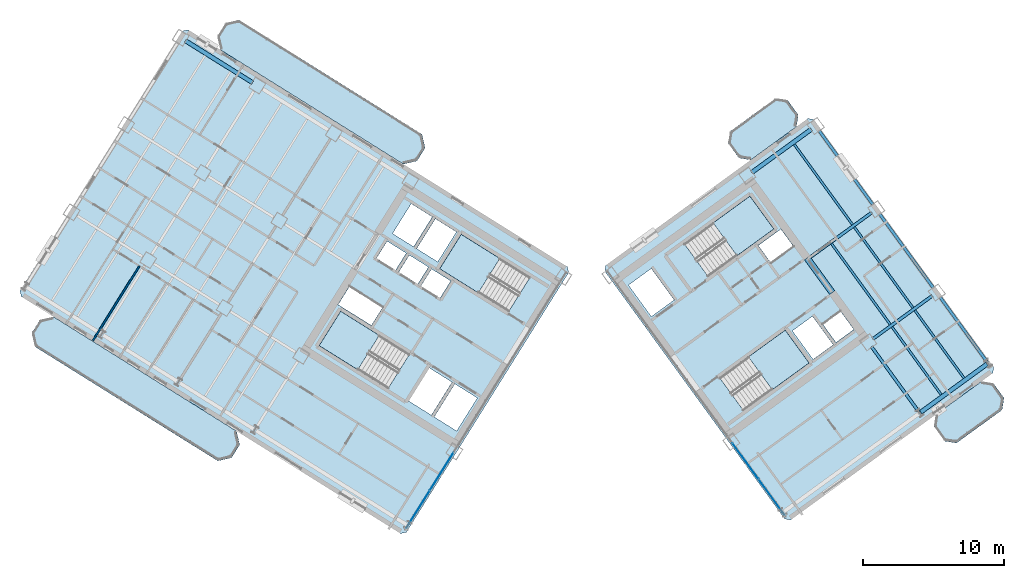
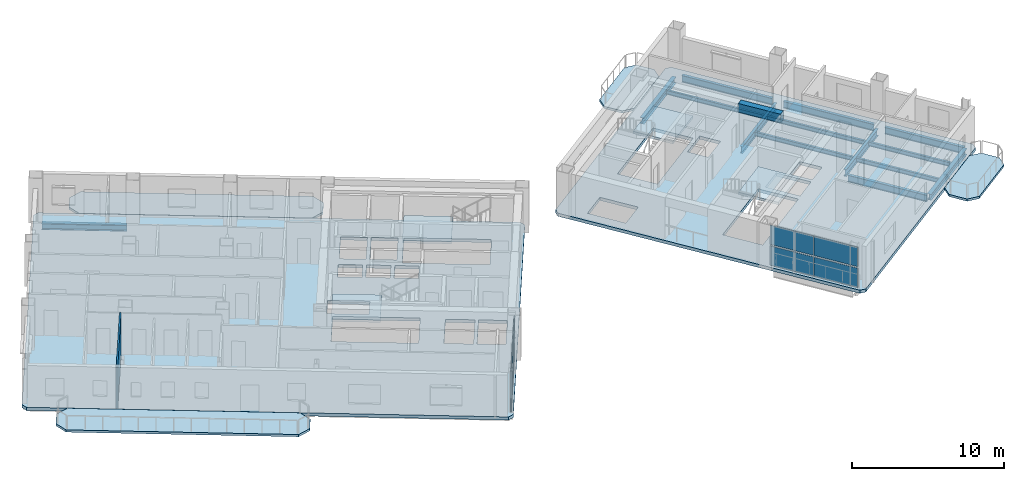
# One storey, part 9 of 19: 15 beams, 10 slabs, 8 plates, 1 wall, 6 elements without a shape of their own.
"""IFC4 building model written with IfcOpenShell, lengths in metres."""

from ifc_helpers import new_model, si_unit, direction, frame, frame_2d, origin, origin_2d, place, context, subcontext, project, spatial, polyline, rectangle, i_section, outline, extrude, source, transform, mapped, material, layer, layer_set, material_profile, profile_set, type_object, element, aggregate, save


model = new_model("IFC4")

# Units and contexts
model_context = context("Model", 3, precision=1e-05, world=origin(), true_north=direction((0.0, 1.0)))
body_context = subcontext(model_context, "Body", "Model", "MODEL_VIEW")
ifc_project = project(units=[si_unit("LENGTHUNIT", "METRE"), si_unit("AREAUNIT", "SQUARE_METRE"), si_unit("VOLUMEUNIT", "CUBIC_METRE"), si_unit("PLANEANGLEUNIT", "RADIAN"), si_unit("MASSUNIT", "GRAM", prefix="KILO")], contexts=[model_context])

# Site, building, storey
site_placement = place(None, origin())
site = spatial("IfcSite", under=ifc_project, at=site_placement, CompositionType="ELEMENT")
building_placement = place(site_placement, origin())
building = spatial("IfcBuilding", under=site, at=building_placement, Name="Tlacorven Tower", CompositionType="ELEMENT")
storey_placement = place(building_placement, frame((0.0, 0.0, 147.89990234375)))
storey = spatial("IfcBuildingStorey", under=building, at=storey_placement, Name="L37", CompositionType="ELEMENT", Elevation=147.89990234375)

# Beams
ifc_material_1 = material(Name="Concrete C60/75", Category="concrete")
ifc_material_profile_1 = material_profile(ifc_material_1, rectangle(XDim=0.449951171875, YDim=0.699951171875, at=origin_2d()), Name="RC 450X700")
ifc_profile_set_1 = profile_set([ifc_material_profile_1], Name="Concrete C60/75")
beam_type_1 = type_object("IfcBeamType", Name="BM-LNT-700", PredefinedType="LINTEL", material=ifc_profile_set_1)
shared_shape_1 = source(origin(), body_context, "Body", "SweptSolid", [
    extrude(rectangle(XDim=0.449951171875, YDim=0.699951171875, at=origin_2d()), origin(), (0.0, 0.0, 1.0), 3.050048828125),
])
beam_1_placement = place(storey_placement, frame((59.856689453125, 23.345947265625, 3.0), z_axis=(-0.587776590479, 0.80902328748, 0.0), x_axis=(-0.80902328748, -0.587776590479, 0.0)))
element("IfcBeam", 1, at=beam_1_placement, inside=storey, type_object=beam_type_1, Name="L37 E core coupling lintel beam E2", PredefinedType="LINTEL", context=body_context, shape_type="MappedRepresentation", body=[
    mapped(shared_shape_1, transform((0.0, 0.0, 0.0), scale=1.0)),
])
ifc_material_2 = material(Name="Steel S355J2", Category="steel")
ifc_material_profile_2 = material_profile(ifc_material_2, i_section(OverallWidth=0.300048828125, OverallDepth=0.489990234375, WebThickness=0.011962890625, FlangeThickness=0.02294921875, at=origin_2d()), Name="HEA 500")
ifc_profile_set_2 = profile_set([ifc_material_profile_2], Name="Steel S355J2")
beam_type_2 = type_object("IfcBeamType", Name="BM-SPN-500", PredefinedType="SPANDREL", material=ifc_profile_set_2)
shared_shape_2 = source(origin(), body_context, "Body", "SweptSolid", [
    extrude(i_section(OverallWidth=0.300048828125, OverallDepth=0.489990234375, WebThickness=0.011962890625, FlangeThickness=0.02294921875, at=origin_2d()), origin(), (0.0, 0.0, 1.0), 5.800048828125),
])
beam_2_placement = place(storey_placement, frame((66.138671875, 14.86962890625, -0.494873046875), z_axis=(0.809019944521, 0.587781191743, 0.0), x_axis=(-0.587781191743, 0.809019944521, 0.0)))
element("IfcBeam", 2, at=beam_2_placement, inside=storey, type_object=beam_type_2, Name="L37 beam BM-L37-EL1-3", PredefinedType="SPANDREL", context=body_context, shape_type="MappedRepresentation", body=[
    mapped(shared_shape_2, transform((0.0, 0.0, 0.0), scale=1.0)),
])
shared_shape_3 = source(origin(), body_context, "Body", "SweptSolid", [
    extrude(i_section(OverallWidth=0.300048828125, OverallDepth=0.489990234375, WebThickness=0.011962890625, FlangeThickness=0.02294921875, at=origin_2d()), origin(), (0.0, 0.0, 1.0), 5.599853515625),
])
beam_3_placement = place(storey_placement, frame((18.733642578125, 38.246337890625, -0.494873046875), z_axis=(-0.848047285686, 0.529920561254, 0.0), x_axis=(-0.529920561254, -0.848047285686, 0.0)))
element("IfcBeam", 3, at=beam_3_placement, inside=storey, type_object=beam_type_2, Name="L37 beam BM-L37-WL1-5", PredefinedType="SPANDREL", context=body_context, shape_type="MappedRepresentation", body=[
    mapped(shared_shape_3, transform((0.0, 0.0, 0.0), scale=1.0)),
])
ifc_material_profile_3 = material_profile(ifc_material_2, i_section(OverallWidth=0.2099609375, OverallDepth=0.550048828125, WebThickness=0.010986328125, FlangeThickness=0.01708984375, at=origin_2d()), Name="IPE 550")
ifc_profile_set_3 = profile_set([ifc_material_profile_3], Name="Steel S355J2")
beam_type_3 = type_object("IfcBeamType", Name="BM-TWR-550", PredefinedType="BEAM", material=ifc_profile_set_3)
shared_shape_4 = source(origin(), body_context, "Body", "SweptSolid", [
    extrude(i_section(OverallWidth=0.2099609375, OverallDepth=0.550048828125, WebThickness=0.010986328125, FlangeThickness=0.01708984375, at=origin_2d()), origin(), (0.0, 0.0, 1.0), 5.7001953125),
])
beam_4_placement = place(storey_placement, frame((70.853271484375, 18.41845703125, -0.52490234375), z_axis=(-0.587766699507, 0.809030473438, 0.0), x_axis=(-0.809030473438, -0.587766699507, 0.0)))
element("IfcBeam", 4, at=beam_4_placement, inside=storey, type_object=beam_type_3, Name="L37 beam BM-L37-ET4-1", PredefinedType="BEAM", context=body_context, shape_type="MappedRepresentation", body=[
    mapped(shared_shape_4, transform((0.0, 0.0, 0.0), scale=1.0)),
])
shared_shape_5 = source(origin(), body_context, "Body", "SweptSolid", [
    extrude(i_section(OverallWidth=0.2099609375, OverallDepth=0.550048828125, WebThickness=0.010986328125, FlangeThickness=0.01708984375, at=origin_2d()), origin(), (0.0, 0.0, 1.0), 5.699951171875),
])
beam_5_placement = place(storey_placement, frame((65.9990234375, 14.891845703125, -0.52490234375), z_axis=(-0.587787066966, 0.809015675935, 0.0), x_axis=(-0.809015675935, -0.587787066966, 0.0)))
element("IfcBeam", 5, at=beam_5_placement, inside=storey, type_object=beam_type_3, Name="L37 beam BM-L37-ET3-1", PredefinedType="BEAM", context=body_context, shape_type="MappedRepresentation", body=[
    mapped(shared_shape_5, transform((0.0, 0.0, 0.0), scale=1.0)),
])
shared_shape_6 = source(origin(), body_context, "Body", "SweptSolid", [
    extrude(i_section(OverallWidth=0.2099609375, OverallDepth=0.550048828125, WebThickness=0.010986328125, FlangeThickness=0.01708984375, at=origin_2d()), origin(), (0.0, 0.0, 1.0), 6.5),
])
for number, where, z_axis, x_axis, name in (
    (6, (67.03271484375, 23.67724609375, -0.52490234375), (-0.587809847215, 0.808999124547, 0.0), (-0.808999124547, -0.587809847215, 0.0), "L37 beam BM-L37-ET4-2"),
    (7, (62.74169921875, 29.5830078125, -0.52490234375), (-0.587785264321, 0.809016985636, 0.0), (-0.809016985636, -0.587785264321, 0.0), "L37 beam BM-L37-ET4-3"),
):
    element("IfcBeam", number, at=place(storey_placement, frame(where, z_axis=z_axis, x_axis=x_axis)), inside=storey, type_object=beam_type_3, Name=name, PredefinedType="BEAM", context=body_context, shape_type="MappedRepresentation", body=[
        mapped(shared_shape_6, transform((0.0, 0.0, 0.0), scale=1.0)),
    ])
shared_shape_7 = source(origin(), body_context, "Body", "SweptSolid", [
    extrude(i_section(OverallWidth=0.2099609375, OverallDepth=0.550048828125, WebThickness=0.010986328125, FlangeThickness=0.01708984375, at=origin_2d()), origin(), (0.0, 0.0, 1.0), 5.56005859375),
])
beam_6_placement = place(storey_placement, frame((58.155029296875, 25.756103515625, -0.52490234375), z_axis=(0.809028396397, 0.587769558435, 0.0), x_axis=(-0.587769558435, 0.809028396397, 0.0)))
element("IfcBeam", 8, at=beam_6_placement, inside=storey, type_object=beam_type_3, Name="L37 beam BM-L37-EL3-3", PredefinedType="BEAM", context=body_context, shape_type="MappedRepresentation", body=[
    mapped(shared_shape_7, transform((0.0, 0.0, 0.0), scale=1.0)),
])
ifc_material_profile_4 = material_profile(ifc_material_2, i_section(OverallWidth=0.159912109375, OverallDepth=0.330078125, WebThickness=0.007568359375, FlangeThickness=0.011474609375, at=origin_2d()), Name="IPE 330")
ifc_profile_set_4 = profile_set([ifc_material_profile_4], Name="Steel S355J2")
beam_type_4 = type_object("IfcBeamType", Name="BM-JST-330", PredefinedType="JOIST", material=ifc_profile_set_4)
shared_shape_8 = source(origin(), body_context, "Body", "SweptSolid", [
    extrude(i_section(OverallWidth=0.159912109375, OverallDepth=0.330078125, WebThickness=0.007568359375, FlangeThickness=0.011474609375, at=origin_2d()), origin(), (0.0, 0.0, 1.0), 5.93505859375),
])
for number, where, z_axis, x_axis, name in (
    (9, (67.584716796875, 16.11181640625, -0.414794921875), (-0.58778762431, 0.809015270998, 0.0), (-0.809015270998, -0.58778762431, 0.0), "L37 beam BM-L37-EJ3-1-1"),
    (10, (69.202880859375, 17.287353515625, -0.414794921875), (-0.58778762431, 0.809015270998, 0.0), (-0.809015270998, -0.58778762431, 0.0), "L37 beam BM-L37-EJ3-1-2"),
):
    element("IfcBeam", number, at=place(storey_placement, frame(where, z_axis=z_axis, x_axis=x_axis)), inside=storey, type_object=beam_type_4, Name=name, PredefinedType="JOIST", context=body_context, shape_type="MappedRepresentation", body=[
        mapped(shared_shape_8, transform((0.0, 0.0, 0.0), scale=1.0)),
    ])
shared_shape_9 = source(origin(), body_context, "Body", "SweptSolid", [
    extrude(i_section(OverallWidth=0.159912109375, OverallDepth=0.330078125, WebThickness=0.007568359375, FlangeThickness=0.011474609375, at=origin_2d()), origin(), (0.0, 0.0, 1.0), 7.080078125),
])
beam_7_placement = place(storey_placement, frame((65.5849609375, 22.266845703125, -0.414794921875), z_axis=(-0.587759505125, 0.809035700161, 0.0), x_axis=(-0.809035700161, -0.587759505125, 0.0)))
element("IfcBeam", 11, at=beam_7_placement, inside=storey, type_object=beam_type_4, Name="L37 beam BM-L37-EJ3-2-2", PredefinedType="JOIST", context=body_context, shape_type="MappedRepresentation", body=[
    mapped(shared_shape_9, transform((0.0, 0.0, 0.0), scale=1.0)),
])
shared_shape_10 = source(origin(), body_context, "Body", "SweptSolid", [
    extrude(i_section(OverallWidth=0.159912109375, OverallDepth=0.330078125, WebThickness=0.007568359375, FlangeThickness=0.011474609375, at=origin_2d()), origin(), (0.0, 0.0, 1.0), 7.034912109375),
])
beam_8_placement = place(storey_placement, frame((61.294189453125, 28.1728515625, -0.414794921875), z_axis=(-0.587781631373, 0.809019625115, 0.0), x_axis=(-0.809019625115, -0.587781631373, 0.0)))
element("IfcBeam", 12, at=beam_8_placement, inside=storey, type_object=beam_type_4, Name="L37 beam BM-L37-EJ3-3-2", PredefinedType="JOIST", context=body_context, shape_type="MappedRepresentation", body=[
    mapped(shared_shape_10, transform((0.0, 0.0, 0.0), scale=1.0)),
])
shared_shape_11 = source(origin(), body_context, "Body", "SweptSolid", [
    extrude(i_section(OverallWidth=0.159912109375, OverallDepth=0.330078125, WebThickness=0.007568359375, FlangeThickness=0.011474609375, at=origin_2d()), origin(), (0.0, 0.0, 1.0), 7.080322265625),
])
beam_9_placement = place(storey_placement, frame((63.967041015625, 21.09130859375, -0.414794921875), z_axis=(-0.587782074775, 0.809019302967, 0.0), x_axis=(-0.809019302967, -0.587782074775, 0.0)))
element("IfcBeam", 13, at=beam_9_placement, inside=storey, type_object=beam_type_4, Name="L37 beam BM-L37-EJ3-2-1", PredefinedType="JOIST", context=body_context, shape_type="MappedRepresentation", body=[
    mapped(shared_shape_11, transform((0.0, 0.0, 0.0), scale=1.0)),
])
shared_shape_12 = source(origin(), body_context, "Body", "SweptSolid", [
    extrude(i_section(OverallWidth=0.2099609375, OverallDepth=0.550048828125, WebThickness=0.010986328125, FlangeThickness=0.01708984375, at=origin_2d()), origin(), (0.0, 0.0, 1.0), 5.199951171875),
])
beam_10_placement = place(storey_placement, frame((62.7373046875, 20.06201171875, -0.52490234375), z_axis=(0.809018206713, 0.587783583648, 0.0), x_axis=(-0.587783583648, 0.809018206713, 0.0)))
element("IfcBeam", 14, at=beam_10_placement, inside=storey, type_object=beam_type_3, Name="L37 beam BM-L37-EL2-3", PredefinedType="BEAM", context=body_context, shape_type="MappedRepresentation", body=[
    mapped(shared_shape_12, transform((0.0, 0.0, 0.0), scale=1.0)),
])
shared_shape_13 = source(origin(), body_context, "Body", "SweptSolid", [
    extrude(i_section(OverallWidth=0.300048828125, OverallDepth=0.489990234375, WebThickness=0.011962890625, FlangeThickness=0.02294921875, at=origin_2d()), origin(), (0.0, 0.0, 1.0), 5.2001953125),
])
beam_11_placement = place(storey_placement, frame((54.155517578125, 31.87353515625, -0.494873046875), z_axis=(0.80901210161, 0.587791986546, 0.0), x_axis=(-0.587791986546, 0.80901210161, 0.0)))
element("IfcBeam", 15, at=beam_11_placement, inside=storey, type_object=beam_type_2, Name="L37 beam BM-L37-EL4-3", PredefinedType="SPANDREL", context=body_context, shape_type="MappedRepresentation", body=[
    mapped(shared_shape_13, transform((0.0, 0.0, 0.0), scale=1.0)),
])

# Slabs
ifc_material_3 = material(Name="Precast concrete C45/55", Category="concrete")
ifc_layer_1 = layer(ifc_material_3, 0.179931640625)
ifc_layer_set_1 = layer_set([ifc_layer_1], Name="Precast concrete C45/55")
slab_type_1 = type_object("IfcSlabType", Name="SL-BAL-180", PredefinedType="USERDEFINED", material=ifc_layer_set_1)
slab_1_placement = place(storey_placement, frame((0.0, 0.0, -0.179931640625)))
element("IfcSlab", 16, at=slab_1_placement, inside=storey, type_object=slab_type_1, Name="L37 West Wing Balcony Ribbon OUT", ObjectType="BALCONY SLAB", PredefinedType="USERDEFINED", context=body_context, shape_type="SweptSolid", body=[
    extrude(outline(polyline([(17.601318359375, 13.52490234375), (4.626220703125, 21.632568359375), (3.66162109375, 21.409912109375), (3.081298828125, 20.4814453125), (3.303955078125, 19.516845703125), (16.279052734375, 11.408935546875), (17.24365234375, 11.6318359375), (17.823974609375, 12.560302734375), (17.601318359375, 13.52490234375)])), origin(), (0.0, 0.0, 1.0), 0.179931640625),
])
slab_2_placement = place(storey_placement, frame((0.0, 0.0, -0.179931640625)))
element("IfcSlab", 17, at=slab_2_placement, inside=storey, type_object=slab_type_1, Name="L37 West Wing Balcony Ribbon IN", ObjectType="BALCONY SLAB", PredefinedType="USERDEFINED", context=body_context, shape_type="SweptSolid", body=[
    extrude(outline(polyline([(30.756591796875, 34.57763671875), (17.781494140625, 42.685546875), (16.81689453125, 42.462890625), (16.236572265625, 41.5341796875), (16.459228515625, 40.569580078125), (29.434326171875, 32.4619140625), (30.39892578125, 32.6845703125), (30.979248046875, 33.613037109375), (30.756591796875, 34.57763671875)])), origin(), (0.0, 0.0, 1.0), 0.179931640625),
])
slab_3_placement = place(storey_placement, frame((0.0, 0.0, -0.179931640625)))
element("IfcSlab", 18, at=slab_3_placement, inside=storey, type_object=slab_type_1, Name="L37 East Wing Balcony Ribbon OUT", ObjectType="BALCONY SLAB", PredefinedType="USERDEFINED", context=body_context, shape_type="SweptSolid", body=[
    extrude(outline(polyline([(68.669921875, 12.678955078125), (71.906005859375, 15.0302734375), (72.03857421875, 15.8681640625), (71.27734375, 16.916015625), (70.439453125, 17.048583984375), (67.203369140625, 14.697509765625), (67.070556640625, 13.859375), (67.831787109375, 12.811767578125), (68.669921875, 12.678955078125)])), origin(), (0.0, 0.0, 1.0), 0.179931640625),
])
slab_4_placement = place(storey_placement, frame((0.0, 0.0, -0.179931640625)))
element("IfcSlab", 19, at=slab_4_placement, inside=storey, type_object=slab_type_1, Name="L37 East Wing Balcony Ribbon IN", ObjectType="BALCONY SLAB", PredefinedType="USERDEFINED", context=body_context, shape_type="SweptSolid", body=[
    extrude(outline(polyline([(54.078125, 32.762939453125), (57.314208984375, 35.114013671875), (57.44677734375, 35.9521484375), (56.685791015625, 36.999755859375), (55.84765625, 37.132568359375), (52.611572265625, 34.78125), (52.478759765625, 33.943359375), (53.239990234375, 32.8955078125), (54.078125, 32.762939453125)])), origin(), (0.0, 0.0, 1.0), 0.179931640625),
])

# Stair, slab
ifc_material_4 = material(Name="Concrete C40/50", Category="concrete")
stair_type = type_object("IfcStairType", Name="ST-CORE-DLG", PredefinedType="HALF_TURN_STAIR", material=ifc_material_4)
stair_1_placement = place(storey_placement, origin())
stair_1 = element("IfcStair", 20, at=stair_1_placement, inside=storey, type_object=stair_type, Name="L37 Protected Exit Stair West 1", PredefinedType="HALF_TURN_STAIR")
ifc_layer_2 = layer(ifc_material_4, 0.199951171875)
ifc_layer_set_2 = layer_set([ifc_layer_2], Name="Concrete C40/50")
slab_type_2 = type_object("IfcSlabType", Name="SL-LND-200", PredefinedType="LANDING", material=ifc_layer_set_2)
slab_5_placement = place(storey_placement, frame((0.0, 0.0, 1.60009765625)))
slab_5 = element("IfcSlab", 21, at=slab_5_placement, type_object=slab_type_2, Name="ST-W1 landing 1", PredefinedType="LANDING", context=body_context, shape_type="SweptSolid", body=[
    extrude(outline(polyline([(27.728515625, 20.315185546875), (24.9892578125, 22.02685546875), (23.463134765625, 19.58447265625), (26.2021484375, 17.872802734375), (27.728515625, 20.315185546875)])), origin(), (0.0, 0.0, 1.0), 0.199951171875),
])
aggregate(stair_1, [slab_5])

stair_2_placement = place(storey_placement, origin())
stair_2 = element("IfcStair", 22, at=stair_2_placement, inside=storey, type_object=stair_type, Name="L37 Protected Exit Stair West 2", PredefinedType="HALF_TURN_STAIR")
slab_6_placement = place(storey_placement, frame((0.0, 0.0, 1.60009765625)))
slab_6 = element("IfcSlab", 23, at=slab_6_placement, type_object=slab_type_2, Name="ST-W2 landing 1", PredefinedType="LANDING", context=body_context, shape_type="SweptSolid", body=[
    extrude(outline(polyline([(36.280029296875, 25.772705078125), (33.540771484375, 27.484375), (32.0146484375, 25.0419921875), (34.75390625, 23.33056640625), (36.280029296875, 25.772705078125)])), origin(), (0.0, 0.0, 1.0), 0.199951171875),
])
aggregate(stair_2, [slab_6])

stair_3_placement = place(storey_placement, origin())
stair_3 = element("IfcStair", 24, at=stair_3_placement, inside=storey, type_object=stair_type, Name="L37 Protected Exit Stair East 1", PredefinedType="HALF_TURN_STAIR")
slab_7_placement = place(storey_placement, frame((0.0, 0.0, 1.60009765625)))
slab_7 = element("IfcSlab", 25, at=slab_7_placement, type_object=slab_type_2, Name="ST-E1 landing 1", PredefinedType="LANDING", context=body_context, shape_type="SweptSolid", body=[
    extrude(outline(polyline([(53.09765625, 25.962890625), (55.7109375, 27.861572265625), (54.01806640625, 30.19140625), (51.40478515625, 28.29296875), (53.09765625, 25.962890625)])), origin(), (0.0, 0.0, 1.0), 0.199951171875),
])
aggregate(stair_3, [slab_7])

stair_4_placement = place(storey_placement, origin())
stair_4 = element("IfcStair", 26, at=stair_4_placement, inside=storey, type_object=stair_type, Name="L37 Protected Exit Stair East 2", PredefinedType="HALF_TURN_STAIR")
slab_8_placement = place(storey_placement, frame((0.0, 0.0, 1.60009765625)))
slab_8 = element("IfcSlab", 27, at=slab_8_placement, type_object=slab_type_2, Name="ST-E2 landing 1", PredefinedType="LANDING", context=body_context, shape_type="SweptSolid", body=[
    extrude(outline(polyline([(55.601806640625, 16.4599609375), (58.21484375, 18.3583984375), (56.52197265625, 20.6884765625), (53.908935546875, 18.789794921875), (55.601806640625, 16.4599609375)])), origin(), (0.0, 0.0, 1.0), 0.199951171875),
])
aggregate(stair_4, [slab_8])

# Slabs
ifc_layer_3 = layer(ifc_material_4, 0.25)
ifc_layer_set_3 = layer_set([ifc_layer_3], Name="Concrete C40/50")
slab_type_3 = type_object("IfcSlabType", Name="SL-TWR-250", PredefinedType="FLOOR", material=ifc_layer_set_3)
slab_9_placement = place(storey_placement, frame((0.0, 0.0, -0.25)))
element("IfcSlab", 28, at=slab_9_placement, inside=storey, type_object=slab_type_3, Name="L37 West Wing Portal Floor Slab", PredefinedType="FLOOR", context=body_context, shape_type="SweptSolid", body=[
    extrude(outline(polyline([(41.06689453125, 25.18701171875), (14.1669921875, 41.99609375), (13.75341796875, 41.900634765625), (2.24365234375, 23.481201171875), (2.339111328125, 23.067626953125), (29.2392578125, 6.258544921875), (29.652587890625, 6.35400390625), (41.162353515625, 24.773681640625), (41.06689453125, 25.18701171875)]), holes=[polyline([(29.865478515625, 18.979736328125), (24.9892578125, 22.02685546875), (23.463134765625, 19.58447265625), (28.33935546875, 16.537353515625), (29.865478515625, 18.979736328125)]), polyline([(38.4169921875, 24.4375), (33.540771484375, 27.484375), (32.0146484375, 25.0419921875), (36.890869140625, 21.9951171875), (38.4169921875, 24.4375)]), polyline([(34.682373046875, 15.87548828125), (33.088134765625, 16.871826171875), (31.62548828125, 14.531005859375), (33.2197265625, 13.534912109375), (34.682373046875, 15.87548828125)]), polyline([(32.884521484375, 16.9990234375), (31.2392578125, 18.02685546875), (29.77685546875, 15.686279296875), (31.421875, 14.658203125), (32.884521484375, 16.9990234375)]), polyline([(33.197265625, 27.65185546875), (31.704833984375, 28.58447265625), (30.3798828125, 26.46435546875), (31.87255859375, 25.53173828125), (33.197265625, 27.65185546875)]), polyline([(31.484375, 28.722412109375), (29.99169921875, 29.655029296875), (28.6669921875, 27.534912109375), (30.159423828125, 26.602294921875), (31.484375, 28.722412109375)]), polyline([(32.794921875, 24.17724609375), (31.43798828125, 25.025146484375), (30.685546875, 23.82080078125), (32.042236328125, 22.972900390625), (32.794921875, 24.17724609375)]), polyline([(31.217529296875, 25.162841796875), (29.860595703125, 26.0107421875), (29.108154296875, 24.806396484375), (30.465087890625, 23.958740234375), (31.217529296875, 25.162841796875)]), polyline([(29.64013671875, 26.1484375), (28.283203125, 26.996337890625), (27.53076171875, 25.792236328125), (28.8876953125, 24.9443359375), (29.64013671875, 26.1484375)]), polyline([(27.96142578125, 22.2919921875), (25.603759765625, 23.76513671875), (24.80908203125, 22.4931640625), (27.16650390625, 21.02001953125), (27.96142578125, 22.2919921875)])]), origin(), (0.0, 0.0, 1.0), 0.25),
])
slab_10_placement = place(storey_placement, frame((0.0, 0.0, -0.25)))
element("IfcSlab", 29, at=slab_10_placement, inside=storey, type_object=slab_type_3, Name="L37 East Wing Portal Floor Slab", PredefinedType="FLOOR", context=body_context, shape_type="SweptSolid", body=[
    extrude(outline(polyline([(56.90966796875, 7.224853515625), (71.245361328125, 17.640380859375), (71.311767578125, 18.0595703125), (58.545166015625, 35.63134765625), (58.1259765625, 35.69775390625), (43.790283203125, 25.2822265625), (43.723876953125, 24.86328125), (56.49072265625, 7.291259765625), (56.90966796875, 7.224853515625)]), holes=[polyline([(51.05908203125, 24.481689453125), (55.7109375, 27.861572265625), (54.01806640625, 30.19140625), (49.3662109375, 26.811767578125), (51.05908203125, 24.481689453125)]), polyline([(53.56298828125, 14.978759765625), (58.21484375, 18.3583984375), (56.52197265625, 20.6884765625), (51.8701171875, 17.30859375), (53.56298828125, 14.978759765625)]), polyline([(47.0234375, 21.648681640625), (48.6416015625, 22.82421875), (47.019287109375, 25.05712890625), (45.401123046875, 23.881591796875), (47.0234375, 21.648681640625)]), polyline([(58.498779296875, 18.614013671875), (59.922607421875, 19.648681640625), (58.453125, 21.671142578125), (57.029296875, 20.63671875), (58.498779296875, 18.614013671875)]), polyline([(55.490478515625, 25.4765625), (57.092529296875, 26.640380859375), (56.210693359375, 27.85400390625), (54.60888671875, 26.690185546875), (55.490478515625, 25.4765625)]), polyline([(60.12109375, 19.817626953125), (61.38330078125, 20.734619140625), (60.45458984375, 22.012939453125), (59.192626953125, 21.095947265625), (60.12109375, 19.817626953125)])]), origin(), (0.0, 0.0, 1.0), 0.25),
])

# Curtain wall, plates
ifc_material_5 = material(Name="Dark solar low-E double glazing in aluminium frame", Category="aluminium")
curtain_wall_type = type_object("IfcCurtainWallType", Name="CW-TWR-MID", PredefinedType="USERDEFINED", material=ifc_material_5)
curtain_wall_1_placement = place(storey_placement, origin())
curtain_wall_1 = element("IfcCurtainWall", 30, at=curtain_wall_1_placement, inside=storey, type_object=curtain_wall_type, Name="L37 CW-TWR-MID Curtain Wall 165", ObjectType="UNITISED CURTAIN WALL", PredefinedType="USERDEFINED")
ifc_material_6 = material(Name="High-wind dark solar tempered low-E glazing", Category="glass")
ifc_layer_4 = layer(ifc_material_6, 0.028076171875)
ifc_layer_set_4 = layer_set([ifc_layer_4], Name="High-wind dark solar tempered low-E glazing")
plate_type = type_object("IfcPlateType", Name="CWP-03", PredefinedType="CURTAIN_PANEL", material=ifc_layer_set_4)
shared_shape_14 = source(origin(), body_context, "Body", "SweptSolid", [
    extrude(rectangle(XDim=3.1298828125, YDim=0.028076171875, at=origin_2d()), origin(), (0.0, 0.0, 1.0), 1.552978515625),
])
plate_1_placement = place(storey_placement, frame((32.1474609375, 10.648681640625, 0.06103515625), z_axis=(0.0, 0.0, 1.0), x_axis=(-0.529919272078, -0.848048091255, 0.0)))
plate_1 = element("IfcPlate", 31, at=plate_1_placement, type_object=plate_type, Name="CW-L37-165 Glazing Panel 1", PredefinedType="CURTAIN_PANEL", context=body_context, shape_type="MappedRepresentation", body=[
    mapped(shared_shape_14, transform((0.0, 0.0, 0.0), scale=1.0)),
])
plate_2_placement = place(storey_placement, frame((32.1474609375, 10.648681640625, 1.736328125), z_axis=(0.0, 0.0, 1.0), x_axis=(-0.529919272078, -0.848048091255, 0.0)))
plate_2 = element("IfcPlate", 32, at=plate_2_placement, type_object=plate_type, Name="CW-L37-165 Glazing Panel 2", PredefinedType="CURTAIN_PANEL", context=body_context, shape_type="MappedRepresentation", body=[
    mapped(shared_shape_14, transform((0.0, 0.0, 0.0), scale=1.0)),
])
plate_3_placement = place(storey_placement, frame((30.4638671875, 7.95458984375, 0.06103515625), z_axis=(0.0, 0.0, 1.0), x_axis=(-0.529919272078, -0.848048091255, 0.0)))
plate_3 = element("IfcPlate", 33, at=plate_3_placement, type_object=plate_type, Name="CW-L37-165 Glazing Panel 3", PredefinedType="CURTAIN_PANEL", context=body_context, shape_type="MappedRepresentation", body=[
    mapped(shared_shape_14, transform((0.0, 0.0, 0.0), scale=1.0)),
])
plate_4_placement = place(storey_placement, frame((30.4638671875, 7.95458984375, 1.736328125), z_axis=(0.0, 0.0, 1.0), x_axis=(-0.529919272078, -0.848048091255, 0.0)))
plate_4 = element("IfcPlate", 34, at=plate_4_placement, type_object=plate_type, Name="CW-L37-165 Glazing Panel 4", PredefinedType="CURTAIN_PANEL", context=body_context, shape_type="MappedRepresentation", body=[
    mapped(shared_shape_14, transform((0.0, 0.0, 0.0), scale=1.0)),
])
aggregate(curtain_wall_1, [plate_1, plate_2, plate_3, plate_4])

curtain_wall_2_placement = place(storey_placement, origin())
curtain_wall_2 = element("IfcCurtainWall", 35, at=curtain_wall_2_placement, inside=storey, type_object=curtain_wall_type, Name="L37 CW-TWR-MID Curtain Wall 166", ObjectType="UNITISED CURTAIN WALL", PredefinedType="USERDEFINED")
plate_5_placement = place(storey_placement, frame((55.569580078125, 8.831298828125, 0.06103515625), z_axis=(0.0, 0.0, 1.0), x_axis=(-0.587785363163, 0.809016913823, 0.0)))
plate_5 = element("IfcPlate", 36, at=plate_5_placement, type_object=plate_type, Name="CW-L37-166 Glazing Panel 1", PredefinedType="CURTAIN_PANEL", context=body_context, shape_type="MappedRepresentation", body=[
    mapped(shared_shape_14, transform((0.0, 0.0, 0.0), scale=1.0)),
])
plate_6_placement = place(storey_placement, frame((55.569580078125, 8.831298828125, 1.736328125), z_axis=(0.0, 0.0, 1.0), x_axis=(-0.587785363163, 0.809016913823, 0.0)))
plate_6 = element("IfcPlate", 37, at=plate_6_placement, type_object=plate_type, Name="CW-L37-166 Glazing Panel 2", PredefinedType="CURTAIN_PANEL", context=body_context, shape_type="MappedRepresentation", body=[
    mapped(shared_shape_14, transform((0.0, 0.0, 0.0), scale=1.0)),
])
plate_7_placement = place(storey_placement, frame((53.7021484375, 11.4013671875, 0.06103515625), z_axis=(0.0, 0.0, 1.0), x_axis=(-0.587785363163, 0.809016913823, 0.0)))
plate_7 = element("IfcPlate", 38, at=plate_7_placement, type_object=plate_type, Name="CW-L37-166 Glazing Panel 3", PredefinedType="CURTAIN_PANEL", context=body_context, shape_type="MappedRepresentation", body=[
    mapped(shared_shape_14, transform((0.0, 0.0, 0.0), scale=1.0)),
])
plate_8_placement = place(storey_placement, frame((53.7021484375, 11.4013671875, 1.736328125), z_axis=(0.0, 0.0, 1.0), x_axis=(-0.587785363163, 0.809016913823, 0.0)))
plate_8 = element("IfcPlate", 39, at=plate_8_placement, type_object=plate_type, Name="CW-L37-166 Glazing Panel 4", PredefinedType="CURTAIN_PANEL", context=body_context, shape_type="MappedRepresentation", body=[
    mapped(shared_shape_14, transform((0.0, 0.0, 0.0), scale=1.0)),
])
aggregate(curtain_wall_2, [plate_5, plate_6, plate_7, plate_8])

# Wall
ifc_material_7 = material(Name="Gypsum plasterboard partition", Category="gypsum")
ifc_layer_5 = layer(ifc_material_7, 0.110107421875)
ifc_layer_set_5 = layer_set([ifc_layer_5], Name="Gypsum plasterboard partition")
wall_type = type_object("IfcWallType", Name="WL-INT-110", PredefinedType="PARTITIONING", material=ifc_layer_set_5)
wall_placement = place(storey_placement, frame((10.717041015625, 25.23779296875, 0.0), z_axis=(0.0, 0.0, 1.0), x_axis=(-0.52991804857, -0.848048855786, 0.0)))
element("IfcWall", 40, at=wall_placement, inside=storey, type_object=wall_type, Name="L37 partition 64", PredefinedType="PARTITIONING", context=body_context, shape_type="SweptSolid", body=[
    extrude(rectangle(XDim=6.239990234375, YDim=0.110107421875, at=frame_2d((3.1201171875, 0.0))), origin(), (0.0, 0.0, 1.0), 3.340087890625),
])

save(model, "model.ifc")
